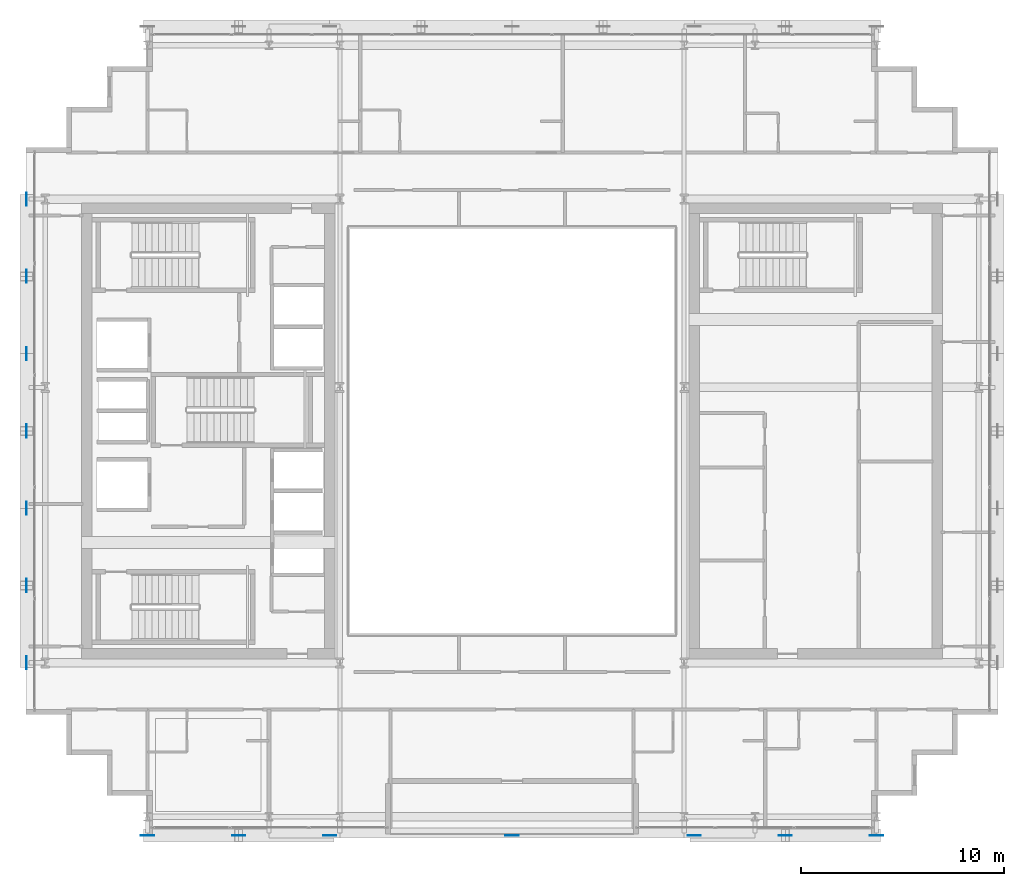
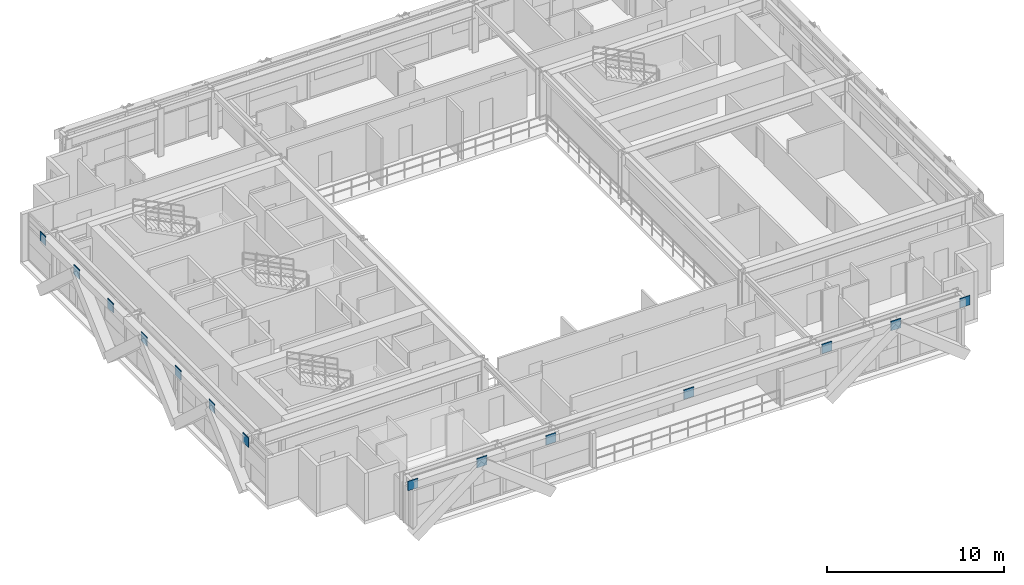
# One storey, part 22 of 32: 14 plates.
"""IFC4 building model written with IfcOpenShell, lengths in metres."""

from ifc_helpers import new_model, si_unit, direction, frame, origin, origin_2d, place, context, subcontext, project, spatial, rectangle, extrude, source, transform, mapped, material, layer, layer_set, type_object, element, save


model = new_model("IFC4")

# Units and contexts
model_context = context("Model", 3, precision=1e-05, world=origin(), true_north=direction((0.0, 1.0)))
body_context = subcontext(model_context, "Body", "Model", "MODEL_VIEW")
ifc_project = project(units=[si_unit("LENGTHUNIT", "METRE"), si_unit("AREAUNIT", "SQUARE_METRE"), si_unit("VOLUMEUNIT", "CUBIC_METRE"), si_unit("PLANEANGLEUNIT", "RADIAN"), si_unit("MASSUNIT", "GRAM", prefix="KILO")], contexts=[model_context])

# Site, building, storey
site_placement = place(None, origin())
site = spatial("IfcSite", under=ifc_project, at=site_placement, CompositionType="ELEMENT")
building_placement = place(site_placement, origin())
building = spatial("IfcBuilding", under=site, at=building_placement, Name="Ocotamira Hotel", CompositionType="ELEMENT")
storey_placement = place(building_placement, frame((0.0, 0.0, 217.199951171875)))
storey = spatial("IfcBuildingStorey", under=building, at=storey_placement, Name="L55", CompositionType="ELEMENT", Elevation=217.199951171875)

# Plates
ifc_material = material(Name="Pale-metal coated steel ASTM A572 Grade 50", Category="steel")
ifc_layer = layer(ifc_material, 0.0400390625)
ifc_layer_set = layer_set([ifc_layer], Name="Pale-metal coated steel ASTM A572 Grade 50")
plate_type = type_object("IfcPlateType", Name="PLT-GUSSET-40", PredefinedType="SHEET", material=ifc_layer_set)
shared_shape_1 = source(origin(), body_context, "Body", "SweptSolid", [
    extrude(rectangle(XDim=0.64990234375, YDim=0.0400390625, at=origin_2d()), origin(), (0.0, 0.0, 1.0), 0.64990234375),
])
for number, where, z_axis, x_axis, name in (
    (1, (18.5, 6.030029296875, 2.705078125), (0.0, 0.0, 1.0), (1.0, 0.0, 0.0), "L55 Exoskeleton Diagrid S0.1 End Gusset B"),
    (2, (45.5, 6.030029296875, 2.705078125), (0.0, 0.0, 1.0), (1.0, 0.0, 0.0), "L55 Exoskeleton Diagrid S3.1 End Gusset B"),
    (3, (14.0, 6.030029296875, 2.705078125), (0.0, 0.0, 1.0), (1.0, 0.0, 0.0), "L55 Exoskeleton Diagrid S0.1 End Gusset A"),
    (4, (23.0, 6.030029296875, 2.705078125), (0.0, 0.0, 1.0), (-1.0, 0.0, 0.0), "L55 Exoskeleton Diagrid S0.2 End Gusset A"),
    (5, (32.0, 6.030029296875, 2.705078125), (0.0, 0.0, 1.0), (-1.0, 0.0, 0.0), "L55 Exoskeleton Diagrid S1.2 End Gusset A"),
    (6, (41.0, 6.030029296875, 2.705078125), (0.0, 0.0, 1.0), (-1.0, 0.0, 0.0), "L55 Exoskeleton Diagrid S2.2 End Gusset A"),
    (7, (50.0, 6.030029296875, 2.705078125), (0.0, 0.0, 1.0), (-1.0, 0.0, 0.0), "L55 Exoskeleton Diagrid S3.2 End Gusset A"),
):
    element("IfcPlate", number, at=place(storey_placement, frame(where, z_axis=z_axis, x_axis=x_axis)), inside=storey, type_object=plate_type, Name=name, PredefinedType="SHEET", context=body_context, shape_type="MappedRepresentation", body=[
        mapped(shared_shape_1, transform((0.0, 0.0, 0.0), scale=1.0)),
    ])
shared_shape_2 = source(origin(), body_context, "Body", "SweptSolid", [
    extrude(rectangle(XDim=0.0400390625, YDim=0.64990234375, at=origin_2d()), origin(), (0.0, 0.0, 1.0), 0.64990234375),
])
for number, where, z_axis, x_axis, name in (
    (8, (8.030029296875, 18.36669921875, 2.705078125), (0.0, 0.0, 1.0), (1.0, 0.0, 0.0), "L55 Exoskeleton Diagrid W0.1 End Gusset B"),
    (9, (8.030029296875, 26.0, 2.705078125), (0.0, 0.0, 1.0), (1.0, 0.0, 0.0), "L55 Exoskeleton Diagrid W1.1 End Gusset B"),
    (10, (8.030029296875, 33.63330078125, 2.705078125), (0.0, 0.0, 1.0), (1.0, 0.0, 0.0), "L55 Exoskeleton Diagrid W2.1 End Gusset B"),
    (11, (8.030029296875, 14.550048828125, 2.705078125), (0.0, 0.0, 1.0), (1.0, 0.0, 0.0), "L55 Exoskeleton Diagrid W0.1 End Gusset A"),
    (12, (8.030029296875, 22.183349609375, 2.705078125), (0.0, 0.0, 1.0), (1.0, 0.0, 0.0), "L55 Exoskeleton Diagrid W0.2 End Gusset A"),
    (13, (8.030029296875, 29.816650390625, 2.705078125), (0.0, 0.0, 1.0), (1.0, 0.0, 0.0), "L55 Exoskeleton Diagrid W1.2 End Gusset A"),
    (14, (8.030029296875, 37.449951171875, 2.705078125), (0.0, 0.0, 1.0), (1.0, 0.0, 0.0), "L55 Exoskeleton Diagrid W2.2 End Gusset A"),
):
    element("IfcPlate", number, at=place(storey_placement, frame(where, z_axis=z_axis, x_axis=x_axis)), inside=storey, type_object=plate_type, Name=name, PredefinedType="SHEET", context=body_context, shape_type="MappedRepresentation", body=[
        mapped(shared_shape_2, transform((0.0, 0.0, 0.0), scale=1.0)),
    ])

save(model, "model.ifc")
